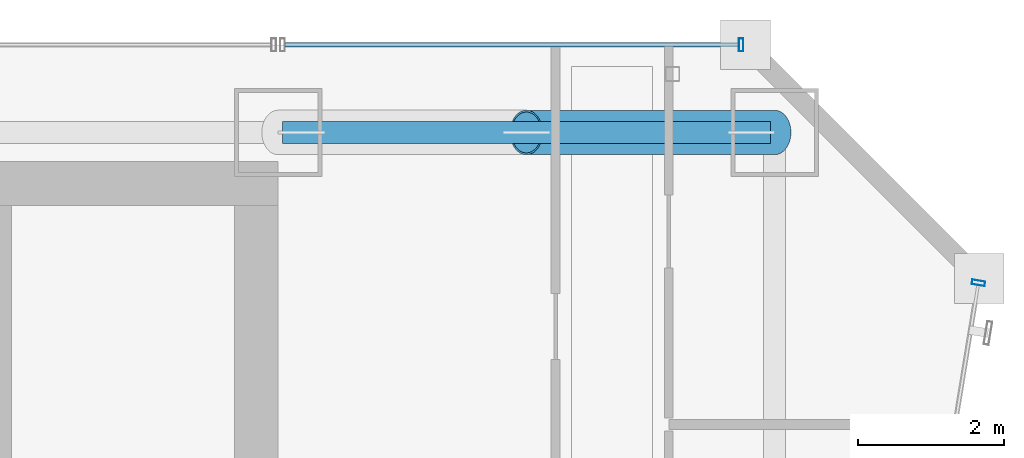
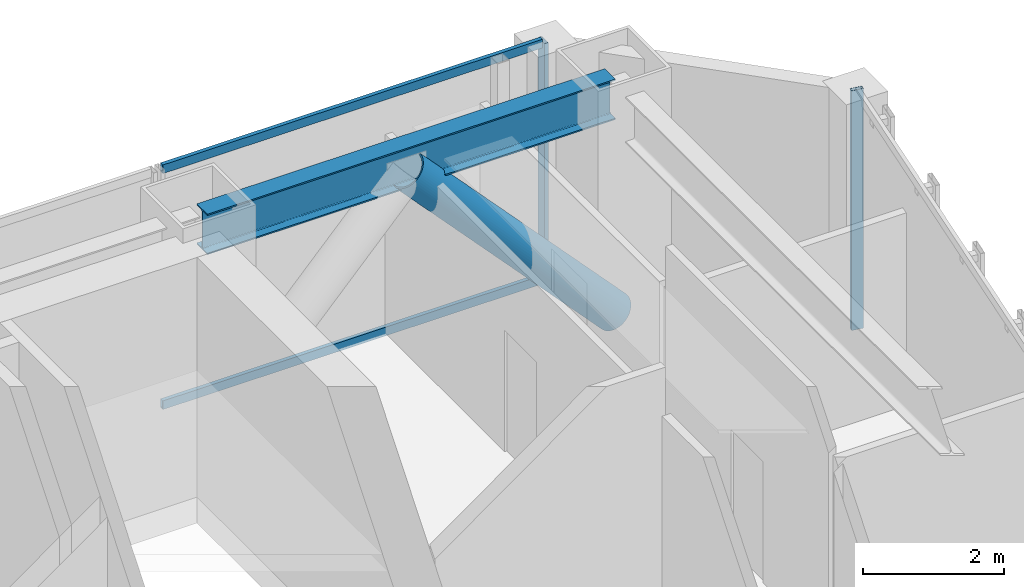
# One storey, part 33 of 49: 5 members, 1 beam, 2 elements without a shape of their own.
"""IFC4 building model written with IfcOpenShell, lengths in metres."""

from ifc_helpers import new_model, si_unit, direction, frame, origin, origin_2d, place, context, subcontext, project, spatial, hollow_rectangle, hollow_circle, i_section, extrude, material, material_profile, profile_set, type_object, element, aggregate, save


model = new_model("IFC4")

# Units and contexts
model_context = context("Model", 3, precision=1e-05, world=origin(), true_north=direction((0.0, 1.0)))
body_context = subcontext(model_context, "Body", "Model", "MODEL_VIEW")
ifc_project = project(units=[si_unit("LENGTHUNIT", "METRE"), si_unit("AREAUNIT", "SQUARE_METRE"), si_unit("VOLUMEUNIT", "CUBIC_METRE"), si_unit("PLANEANGLEUNIT", "RADIAN"), si_unit("MASSUNIT", "GRAM", prefix="KILO")], contexts=[model_context])

# Site, building, storey
site_placement = place(None, origin())
site = spatial("IfcSite", under=ifc_project, at=site_placement, CompositionType="ELEMENT")
building_placement = place(site_placement, origin())
building = spatial("IfcBuilding", under=site, at=building_placement, Name="Saevonmaru Cultural Tower", CompositionType="ELEMENT")
storey_placement = place(building_placement, frame((0.0, 0.0, 38.39990234375)))
storey = spatial("IfcBuildingStorey", under=building, at=storey_placement, Name="L07", CompositionType="ELEMENT", Elevation=38.39990234375)

# Beam
ifc_material_1 = material(Name="Steel SM355", Category="steel")
ifc_material_profile_1 = material_profile(ifc_material_1, i_section(OverallWidth=0.300048828125, OverallDepth=0.699951171875, WebThickness=0.012939453125, FlangeThickness=0.02392578125, FilletRadius=0.02587890625, at=origin_2d()), Name="H-700x300x13x24")
ifc_profile_set_1 = profile_set([ifc_material_profile_1], Name="Steel SM355")
beam_type = type_object("IfcBeamType", Name="BM-SP-H700", PredefinedType="SPANDREL", material=ifc_profile_set_1)
beam_placement = place(storey_placement, frame((46.4599609375, 54.800048828125, 3.800048828125), z_axis=(1.0, 0.0, 0.0), x_axis=(0.0, 1.0, 0.0)))
element("IfcBeam", 1, at=beam_placement, inside=storey, type_object=beam_type, Name="L07 North Spine Girder 5", PredefinedType="SPANDREL", context=body_context, shape_type="SweptSolid", body=[
    extrude(i_section(OverallWidth=0.300048828125, OverallDepth=0.699951171875, WebThickness=0.012939453125, FlangeThickness=0.02392578125, FilletRadius=0.02587890625, at=origin_2d()), origin(), (0.0, 0.0, 1.0), 6.679931640625),
])

# Member
ifc_material_2 = material(Name="Steel HSA600 (600 MPa)", Category="steel")
ifc_material_profile_2 = material_profile(ifc_material_2, hollow_circle(Radius=0.3046875, WallThickness=0.02490234375, at=origin_2d()), Name="CHS-609.6x25")
ifc_profile_set_2 = profile_set([ifc_material_profile_2], Name="Steel HSA600 (600 MPa)")
member_type_1 = type_object("IfcMemberType", Name="MB-PBR-CHS610", PredefinedType="BRACE", material=ifc_profile_set_2)
member_1_placement = place(storey_placement, frame((53.199951171875, 54.800048828125, 0.02001953125), z_axis=(-0.681578526789, 0.0, 0.731744977311), x_axis=(0.0, -1.0, 0.0)))
element("IfcMember", 2, at=member_1_placement, inside=storey, type_object=member_type_1, Name="L07 Perimeter Braced-Tube Diagonal EN2", PredefinedType="BRACE", context=body_context, shape_type="SweptSolid", body=[
    extrude(hollow_circle(Radius=0.3046875, WallThickness=0.02490234375, at=origin_2d()), origin(), (0.0, 0.0, 1.0), 4.98828125),
])

# Curtain wall, member
ifc_material_3 = material(Name="Satin Bronze Anodised Aluminium", Category="aluminium")
curtain_wall_type = type_object("IfcCurtainWallType", Name="CW-TYP-A", PredefinedType="NOTDEFINED", material=ifc_material_3)
curtain_wall_1_placement = place(storey_placement, origin())
curtain_wall_1 = element("IfcCurtainWall", 3, at=curtain_wall_1_placement, inside=storey, type_object=curtain_wall_type, Name="L07 Unitised Curtain Wall E8", PredefinedType="NOTDEFINED")
ifc_material_profile_3 = material_profile(ifc_material_3, hollow_rectangle(XDim=0.06494140625, YDim=0.179931640625, WallThickness=0.00390625, at=origin_2d()), Name="ALU-MULL-180x65x4")
ifc_profile_set_3 = profile_set([ifc_material_profile_3], Name="Satin Bronze Anodised Aluminium")
member_type_2 = type_object("IfcMemberType", Name="ML-CW-180x65", PredefinedType="MULLION", material=ifc_profile_set_3)
member_2_placement = place(storey_placement, frame((55.990234375, 52.74072265625, 0.0), z_axis=(0.0, 0.0, 1.0), x_axis=(0.161708868641, 0.986838508472, 0.0)))
member_2 = element("IfcMember", 4, at=member_2_placement, type_object=member_type_2, Name="CW-TW-L07-E8 mullion 5", PredefinedType="MULLION", context=body_context, shape_type="SweptSolid", body=[
    extrude(hollow_rectangle(XDim=0.06494140625, YDim=0.179931640625, WallThickness=0.00390625, at=origin_2d()), origin(), (0.0, 0.0, 1.0), 4.150146484375),
])
aggregate(curtain_wall_1, [member_2])

# Curtain wall, members
curtain_wall_2_placement = place(storey_placement, origin())
curtain_wall_2 = element("IfcCurtainWall", 5, at=curtain_wall_2_placement, inside=storey, type_object=curtain_wall_type, Name="L07 East Braced Bay Spandrel Curtain Wall E10A", PredefinedType="NOTDEFINED")
member_3_placement = place(storey_placement, frame((52.739990234375, 56.0, 0.0), z_axis=(0.0, 0.0, 1.0), x_axis=(-1.0, 0.0, 0.0)))
member_3 = element("IfcMember", 6, at=member_3_placement, type_object=member_type_2, Name="CW-TW-L07-E10A mullion 1", PredefinedType="MULLION", context=body_context, shape_type="SweptSolid", body=[
    extrude(hollow_rectangle(XDim=0.06494140625, YDim=0.179931640625, WallThickness=0.00390625, at=origin_2d()), origin(), (0.0, 0.0, 1.0), 4.150146484375),
])
ifc_material_profile_4 = material_profile(ifc_material_3, hollow_rectangle(XDim=0.06494140625, YDim=0.14990234375, WallThickness=0.00390625, at=origin_2d()), Name="ALU-TRAN-150x65x4")
ifc_profile_set_4 = profile_set([ifc_material_profile_4], Name="Satin Bronze Anodised Aluminium")
member_type_3 = type_object("IfcMemberType", Name="TR-CW-150x65", PredefinedType="USERDEFINED", material=ifc_profile_set_4)
member_4_placement = place(storey_placement, frame((52.70751953125, 56.0, 0.03271484375), z_axis=(-1.0, 0.0, 0.0), x_axis=(0.0, -1.0, 0.0)))
member_4 = element("IfcMember", 7, at=member_4_placement, type_object=member_type_3, Name="CW-TW-L07-E10A transom 1.1", ObjectType="TRANSOM", PredefinedType="USERDEFINED", context=body_context, shape_type="SweptSolid", body=[
    extrude(hollow_rectangle(XDim=0.06494140625, YDim=0.14990234375, WallThickness=0.00390625, at=origin_2d()), origin(), (0.0, 0.0, 1.0), 6.215087890625),
])
member_5_placement = place(storey_placement, frame((52.70751953125, 56.0, 4.11767578125), z_axis=(-1.0, 0.0, 0.0), x_axis=(0.0, -1.0, 0.0)))
member_5 = element("IfcMember", 8, at=member_5_placement, type_object=member_type_3, Name="CW-TW-L07-E10A transom 1.2", ObjectType="TRANSOM", PredefinedType="USERDEFINED", context=body_context, shape_type="SweptSolid", body=[
    extrude(hollow_rectangle(XDim=0.06494140625, YDim=0.14990234375, WallThickness=0.00390625, at=origin_2d()), origin(), (0.0, 0.0, 1.0), 6.215087890625),
])
aggregate(curtain_wall_2, [member_3, member_4, member_5])

save(model, "model.ifc")
